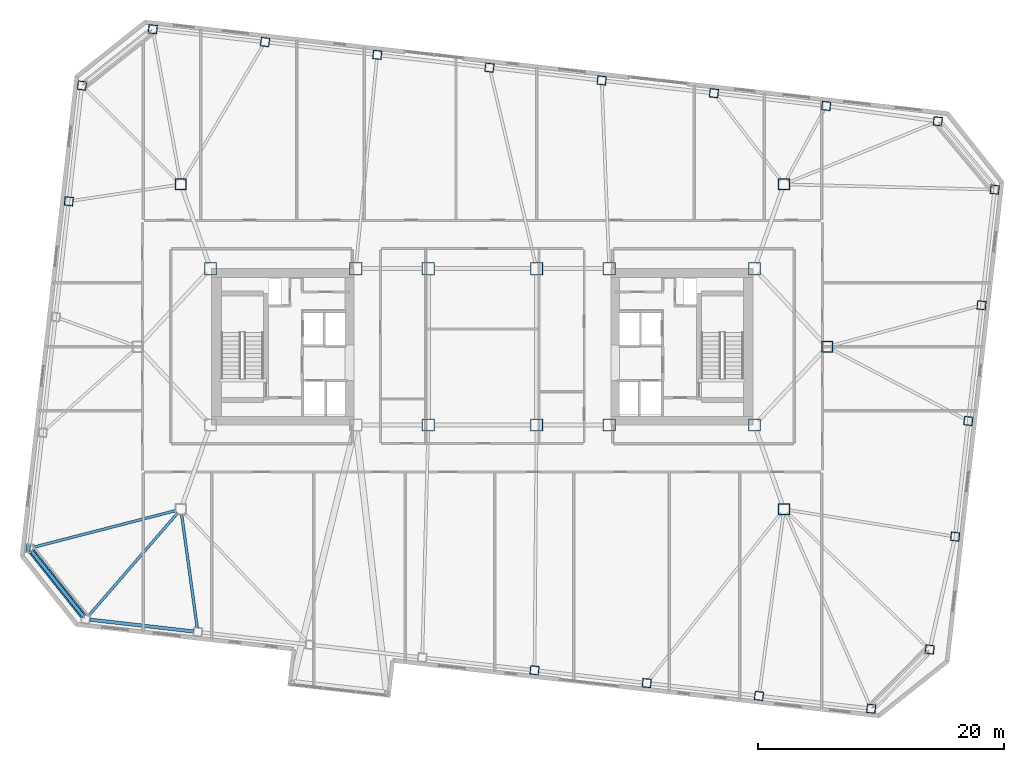
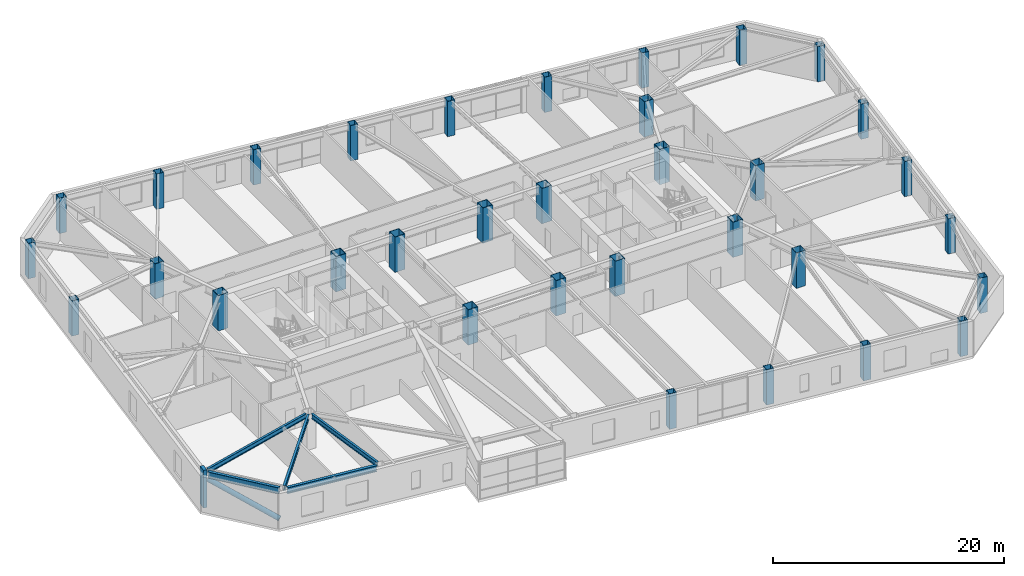
# One storey, part 2 of 22: 33 columns, 5 beams, 2 members.
"""IFC4 building model written with IfcOpenShell, lengths in metres."""

from ifc_helpers import new_model, si_unit, direction, frame, origin, origin_2d, place, context, subcontext, project, spatial, rectangle, hollow_rectangle, hollow_circle, i_section, extrude, material, material_profile, profile_set, type_object, element, save


model = new_model("IFC4")

# Units and contexts
model_context = context("Model", 3, precision=1e-05, world=origin(), true_north=direction((0.0, 1.0)))
body_context = subcontext(model_context, "Body", "Model", "MODEL_VIEW")
ifc_project = project(units=[si_unit("LENGTHUNIT", "METRE"), si_unit("AREAUNIT", "SQUARE_METRE"), si_unit("VOLUMEUNIT", "CUBIC_METRE"), si_unit("PLANEANGLEUNIT", "RADIAN"), si_unit("MASSUNIT", "GRAM", prefix="KILO")], contexts=[model_context])

# Site, building, storey
site_placement = place(None, origin())
site = spatial("IfcSite", under=ifc_project, at=site_placement, CompositionType="ELEMENT")
building_placement = place(site_placement, origin())
building = spatial("IfcBuilding", under=site, at=building_placement, Name="Tavrogorsk Clinical Tower", CompositionType="ELEMENT")
storey_placement = place(building_placement, frame((0.0, 0.0, 93.39990234375)))
storey = spatial("IfcBuildingStorey", under=building, at=storey_placement, Name="L20", CompositionType="ELEMENT", Elevation=93.39990234375)

# Columns
ifc_material_1 = material(Name="Structural steel S440", Category="steel")
ifc_material_profile_1 = material_profile(ifc_material_1, hollow_rectangle(XDim=1.0, YDim=1.0, WallThickness=0.044921875, at=origin_2d()), Name="BOX-1000x1000x45")
ifc_profile_set_1 = profile_set([ifc_material_profile_1], Name="Structural steel S440")
column_type_1 = type_object("IfcColumnType", Name="MegaCol_BOX1000", PredefinedType="COLUMN", material=ifc_profile_set_1)
for number, where, z_axis, x_axis, name in (
    (1, (-22.10009765625, 6.35009765625, 0.0), (0.0, 0.0, 1.0), (1.0, 0.0, 0.0), "L20 Mega Column MC-W2"),
    (2, (-10.300048828125, 6.35009765625, 0.0), (0.0, 0.0, 1.0), (1.0, 0.0, 0.0), "L20 Mega Column MC-W4"),
    (3, (10.300048828125, -6.35009765625, 0.0), (0.0, 0.0, 1.0), (1.0, 0.0, 0.0), "L20 Mega Column MC-E1"),
    (4, (10.300048828125, 6.35009765625, 0.0), (0.0, 0.0, 1.0), (1.0, 0.0, 0.0), "L20 Mega Column MC-E2"),
    (5, (22.10009765625, -6.35009765625, 0.0), (0.0, 0.0, 1.0), (1.0, 0.0, 0.0), "L20 Mega Column MC-E3"),
    (6, (22.10009765625, 6.35009765625, 0.0), (0.0, 0.0, 1.0), (1.0, 0.0, 0.0), "L20 Mega Column MC-E4"),
    (7, (-4.39990234375, -6.35009765625, 0.0), (0.0, 0.0, 1.0), (1.0, 0.0, 0.0), "L20 Mega Column MC-C1"),
    (8, (4.39990234375, -6.35009765625, 0.0), (0.0, 0.0, 1.0), (1.0, 0.0, 0.0), "L20 Mega Column MC-C2"),
    (9, (-4.39990234375, 6.35009765625, 0.0), (0.0, 0.0, 1.0), (1.0, 0.0, 0.0), "L20 Mega Column MC-C3"),
    (10, (4.39990234375, 6.35009765625, 0.0), (0.0, 0.0, 1.0), (1.0, 0.0, 0.0), "L20 Mega Column MC-C4"),
):
    element("IfcColumn", number, at=place(storey_placement, frame(where, z_axis=z_axis, x_axis=x_axis)), inside=storey, type_object=column_type_1, Name=name, PredefinedType="COLUMN", context=body_context, shape_type="SweptSolid", body=[
        extrude(hollow_rectangle(XDim=1.0, YDim=1.0, WallThickness=0.044921875, at=origin_2d()), origin(), (0.0, 0.0, 1.0), 3.739990234375),
    ])
ifc_material_2 = material(Name="Structural steel S440", Category="steel")
ifc_material_profile_2 = material_profile(ifc_material_2, hollow_rectangle(XDim=0.89990234375, YDim=0.89990234375, WallThickness=0.0400390625, at=origin_2d()), Name="BOX-900x900x40")
ifc_profile_set_2 = profile_set([ifc_material_profile_2], Name="Structural steel S440")
column_type_2 = type_object("IfcColumnType", Name="MegaCol_BOX900", PredefinedType="COLUMN", material=ifc_profile_set_2)
for number, where, z_axis, x_axis, name in (
    (11, (24.5, -13.199951171875, 0.0), (0.0, 0.0, 1.0), (1.0, 0.0, 0.0), "L20 Spine Pilotis Column MC-P2"),
    (12, (-24.5, 13.199951171875, 0.0), (0.0, 0.0, 1.0), (1.0, 0.0, 0.0), "L20 Spine Pilotis Column MC-P3"),
    (13, (24.5, 13.199951171875, 0.0), (0.0, 0.0, 1.0), (1.0, 0.0, 0.0), "L20 Spine Pilotis Column MC-P4"),
    (14, (28.0, 0.0, 0.0), (0.0, 0.0, 1.0), (1.0, 0.0, 0.0), "L20 Spine Pilotis Column MC-P6"),
):
    element("IfcColumn", number, at=place(storey_placement, frame(where, z_axis=z_axis, x_axis=x_axis)), inside=storey, type_object=column_type_2, Name=name, PredefinedType="COLUMN", context=body_context, shape_type="SweptSolid", body=[
        extrude(hollow_rectangle(XDim=0.89990234375, YDim=0.89990234375, WallThickness=0.0400390625, at=origin_2d()), origin(), (0.0, 0.0, 1.0), 3.739990234375),
    ])
ifc_material_3 = material(Name="Structural steel S440", Category="steel")
ifc_material_profile_3 = material_profile(ifc_material_3, hollow_rectangle(XDim=0.699951171875, YDim=0.699951171875, WallThickness=0.031982421875, at=origin_2d()), Name="BOX-700x700x32")
ifc_profile_set_3 = profile_set([ifc_material_profile_3], Name="Structural steel S440")
column_type_3 = type_object("IfcColumnType", Name="PerimCol_B2_BOX700", PredefinedType="COLUMN", material=ifc_profile_set_3)
for number, where, z_axis, x_axis, name in (
    (15, (4.228515625, -26.284423828125, 0.0), (0.0, 0.0, 1.0), (0.993571855677, -0.113203213768, 0.0), "L20 Perimeter Column S5"),
    (16, (13.3466796875, -27.3232421875, 0.0), (0.0, 0.0, 1.0), (0.993571855677, -0.113203213768, 0.0), "L20 Perimeter Column S6"),
    (17, (22.465087890625, -28.3623046875, 0.0), (0.0, 0.0, 1.0), (0.993571855677, -0.113203213768, 0.0), "L20 Perimeter Column S7"),
    (18, (31.5830078125, -29.40087890625, 0.0), (0.0, 0.0, 1.0), (0.993571855677, -0.113203213768, 0.0), "L20 Perimeter Column S8"),
    (19, (36.99658203125, 18.323486328125, 0.0), (0.0, 0.0, 1.0), (0.993571855677, -0.113203213768, 0.0), "L20 Perimeter Column N1"),
    (20, (27.92578125, 19.567626953125, 0.0), (0.0, 0.0, 1.0), (0.993571855677, -0.113203213768, 0.0), "L20 Perimeter Column N2"),
    (21, (18.8076171875, 20.606689453125, 0.0), (0.0, 0.0, 1.0), (0.993571855677, -0.113203213768, 0.0), "L20 Perimeter Column N3"),
    (22, (9.689697265625, 21.6455078125, 0.0), (0.0, 0.0, 1.0), (0.993571855677, -0.113203213768, 0.0), "L20 Perimeter Column N4"),
    (23, (0.5712890625, 22.684326171875, 0.0), (0.0, 0.0, 1.0), (0.993571855677, -0.113203213768, 0.0), "L20 Perimeter Column N5"),
    (24, (-8.546875, 23.723388671875, 0.0), (0.0, 0.0, 1.0), (0.993571855677, -0.113203213768, 0.0), "L20 Perimeter Column N6"),
    (25, (-17.6650390625, 24.76220703125, 0.0), (0.0, 0.0, 1.0), (0.993571855677, -0.113203213768, 0.0), "L20 Perimeter Column N7"),
    (26, (-26.783203125, 25.801025390625, 0.0), (0.0, 0.0, 1.0), (0.993571855677, -0.113203213768, 0.0), "L20 Perimeter Column N8"),
    (27, (36.335693359375, -24.591796875, 0.0), (0.0, 0.0, 1.0), (0.993571855677, -0.113203213768, 0.0), "L20 Perimeter Column E1"),
    (28, (38.4091796875, -15.423828125, 0.0), (0.0, 0.0, 1.0), (0.993571855677, -0.113203213768, 0.0), "L20 Perimeter Column E2"),
    (29, (39.47998046875, -6.024658203125, 0.0), (0.0, 0.0, 1.0), (0.993571855677, -0.113203213768, 0.0), "L20 Perimeter Column E3"),
    (30, (40.551025390625, 3.37451171875, 0.0), (0.0, 0.0, 1.0), (0.993571855677, -0.113203213768, 0.0), "L20 Perimeter Column E4"),
    (31, (41.621826171875, 12.773681640625, 0.0), (0.0, 0.0, 1.0), (0.993571855677, -0.113203213768, 0.0), "L20 Perimeter Column E5"),
    (32, (-32.538330078125, 21.22314453125, 0.0), (0.0, 0.0, 1.0), (0.993571855677, -0.113203213768, 0.0), "L20 Perimeter Column W1"),
    (33, (-33.609130859375, 11.823974609375, 0.0), (0.0, 0.0, 1.0), (0.993571855677, -0.113203213768, 0.0), "L20 Perimeter Column W2"),
):
    element("IfcColumn", number, at=place(storey_placement, frame(where, z_axis=z_axis, x_axis=x_axis)), inside=storey, type_object=column_type_3, Name=name, PredefinedType="COLUMN", context=body_context, shape_type="SweptSolid", body=[
        extrude(hollow_rectangle(XDim=0.699951171875, YDim=0.699951171875, WallThickness=0.031982421875, at=origin_2d()), origin(), (0.0, 0.0, 1.0), 3.739990234375),
    ])

# Member
ifc_material_4 = material(Name="Structural steel S440", Category="steel")
ifc_material_profile_4 = material_profile(ifc_material_4, hollow_circle(Radius=0.25390625, WallThickness=0.02001953125, at=origin_2d()), Name="CHS-508x20")
ifc_profile_set_4 = profile_set([ifc_material_profile_4], Name="Structural steel S440")
member_type_1 = type_object("IfcMemberType", Name="ExoBrace_CHS508", PredefinedType="BRACE", material=ifc_profile_set_4)
member_1_placement = place(storey_placement, frame((-32.452880859375, -21.866455078125, 0.425048828125), z_axis=(-0.583326985798, 0.73336936718, 0.349140371371), x_axis=(-0.782619256143, -0.622500682662, 0.0)))
element("IfcMember", 34, at=member_1_placement, inside=storey, type_object=member_type_1, Name="L20 Corner Exoskeleton Brace W5-S1", PredefinedType="BRACE", context=body_context, shape_type="SweptSolid", body=[
    extrude(hollow_circle(Radius=0.25390625, WallThickness=0.02001953125, at=origin_2d()), origin(), (0.0, 0.0, 1.0), 7.1318359375),
])

# Beams
ifc_material_5 = material(Name="Structural steel S355", Category="steel")
ifc_material_profile_5 = material_profile(ifc_material_5, i_section(OverallWidth=0.219970703125, OverallDepth=0.5, WebThickness=0.012939453125, FlangeThickness=0.02001953125, at=origin_2d()), Name="B-500x220x13x20")
ifc_profile_set_5 = profile_set([ifc_material_profile_5], Name="Structural steel S355")
beam_type_1 = type_object("IfcBeamType", Name="FloorBeam_B500", PredefinedType="BEAM", material=ifc_profile_set_5)
beam_1_placement = place(storey_placement, frame((-24.7685546875, -13.509765625, 3.489990234375), z_axis=(-0.655213926096, -0.755443387058, 0.0), x_axis=(0.755443387058, -0.655213926096, 0.0)))
element("IfcBeam", 35, at=beam_1_placement, inside=storey, type_object=beam_type_1, Name="L20 Radial Floor Beam S1", PredefinedType="BEAM", context=body_context, shape_type="SweptSolid", body=[
    extrude(i_section(OverallWidth=0.219970703125, OverallDepth=0.5, WebThickness=0.012939453125, FlangeThickness=0.02001953125, at=origin_2d()), origin(), (0.0, 0.0, 1.0), 11.05126953125),
])
beam_2_placement = place(storey_placement, frame((-24.444091796875, -13.606201171875, 3.489990234375), z_axis=(0.136572505989, -0.990630077581, 0.0), x_axis=(0.990630077581, 0.136572505989, 0.0)))
element("IfcBeam", 36, at=beam_2_placement, inside=storey, type_object=beam_type_1, Name="L20 Radial Floor Beam S2", PredefinedType="BEAM", context=body_context, shape_type="SweptSolid", body=[
    extrude(i_section(OverallWidth=0.219970703125, OverallDepth=0.5, WebThickness=0.012939453125, FlangeThickness=0.02001953125, at=origin_2d()), origin(), (0.0, 0.0, 1.0), 9.2939453125),
])
beam_3_placement = place(storey_placement, frame((-24.89697265625, -13.30224609375, 3.489990234375), z_axis=(-0.968393085087, -0.24942901346, 0.0), x_axis=(0.24942901346, -0.968393085087, 0.0)))
element("IfcBeam", 37, at=beam_3_placement, inside=storey, type_object=beam_type_1, Name="L20 Radial Floor Beam W5", PredefinedType="BEAM", context=body_context, shape_type="SweptSolid", body=[
    extrude(i_section(OverallWidth=0.219970703125, OverallDepth=0.5, WebThickness=0.012939453125, FlangeThickness=0.02001953125, at=origin_2d()), origin(), (0.0, 0.0, 1.0), 11.9560546875),
])

# Member
ifc_material_6 = material(Name="Precast concrete B45 with limestone cladding", Category="masonry")
ifc_material_profile_6 = material_profile(ifc_material_6, rectangle(XDim=0.320068359375, YDim=0.719970703125, at=origin_2d()), Name="LIMESTONE-FIN-320x720")
ifc_profile_set_6 = profile_set([ifc_material_profile_6], Name="Precast concrete B45 with limestone cladding")
member_type_2 = type_object("IfcMemberType", Name="LimestonePleatFin_320x720", PredefinedType="USERDEFINED", material=ifc_profile_set_6)
member_2_placement = place(storey_placement, frame((-36.9013671875, -16.364501953125, 0.0), z_axis=(0.0, 0.0, 1.0), x_axis=(0.993571855677, -0.113203213768, 0.0)))
element("IfcMember", 38, at=member_2_placement, inside=storey, type_object=member_type_2, Name="L20 W Pleated Stone Fin 4", ObjectType="FIN", PredefinedType="USERDEFINED", context=body_context, shape_type="SweptSolid", body=[
    extrude(rectangle(XDim=0.320068359375, YDim=0.719970703125, at=origin_2d()), origin(), (0.0, 0.0, 1.0), 4.0),
])

# Beams
ifc_material_7 = material(Name="Structural steel S390", Category="steel")
ifc_material_profile_7 = material_profile(ifc_material_7, i_section(OverallWidth=0.280029296875, OverallDepth=0.64990234375, WebThickness=0.01611328125, FlangeThickness=0.02490234375, at=origin_2d()), Name="B-650x280x16x25")
ifc_profile_set_7 = profile_set([ifc_material_profile_7], Name="Structural steel S390")
beam_type_2 = type_object("IfcBeamType", Name="SpandrelBeam_B650", PredefinedType="SPANDREL", material=ifc_profile_set_7)
beam_4_placement = place(storey_placement, frame((-31.88818359375, -22.16943359375, 3.4150390625), z_axis=(0.99357232562, -0.113199089054, 0.0), x_axis=(0.113199089054, 0.99357232562, 0.0)))
element("IfcBeam", 39, at=beam_4_placement, inside=storey, type_object=beam_type_2, Name="L20 Perimeter Spandrel S1-S2", PredefinedType="SPANDREL", context=body_context, shape_type="SweptSolid", body=[
    extrude(i_section(OverallWidth=0.280029296875, OverallDepth=0.64990234375, WebThickness=0.01611328125, FlangeThickness=0.02490234375, at=origin_2d()), origin(), (0.0, 0.0, 1.0), 8.4609375),
])
beam_5_placement = place(storey_placement, frame((-36.59912109375, -16.65380859375, 3.4150390625), z_axis=(0.622530733212, -0.782595352788, 0.0), x_axis=(0.782595352788, 0.622530733212, 0.0)))
element("IfcBeam", 40, at=beam_5_placement, inside=storey, type_object=beam_type_2, Name="L20 Perimeter Spandrel W5-S1", PredefinedType="SPANDREL", context=body_context, shape_type="SweptSolid", body=[
    extrude(i_section(OverallWidth=0.280029296875, OverallDepth=0.64990234375, WebThickness=0.01611328125, FlangeThickness=0.02490234375, at=origin_2d()), origin(), (0.0, 0.0, 1.0), 6.637939453125),
])

save(model, "model.ifc")
